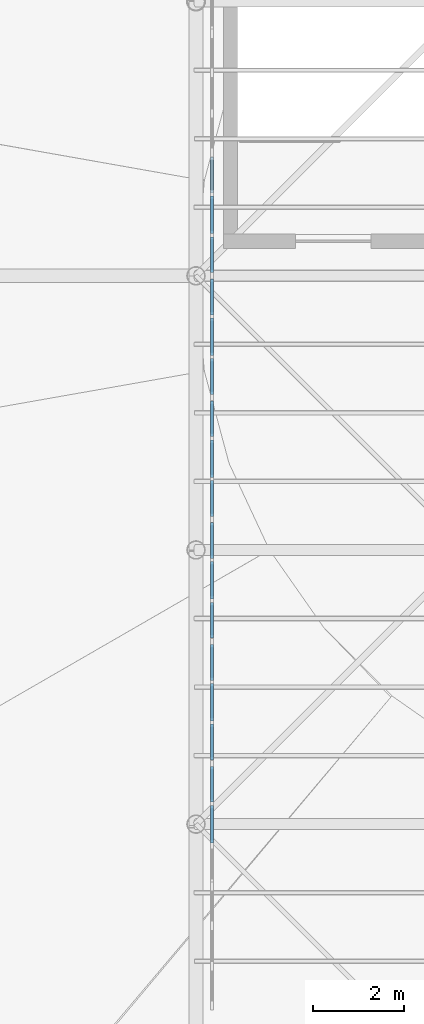
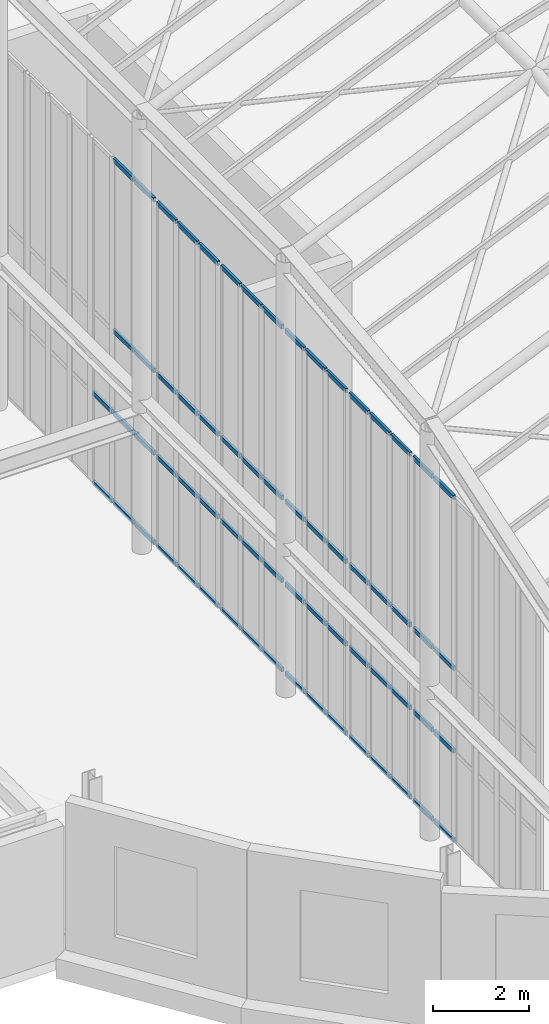
# One storey, part 42 of 75: 66 members, 6 elements without a shape of their own.
"""IFC4 building model written with IfcOpenShell, lengths in metres."""

from ifc_helpers import new_model, si_unit, direction, frame, origin, origin_2d, place, context, subcontext, project, spatial, rectangle, extrude, material, material_profile, profile_set, type_object, element, aggregate, save


model = new_model("IFC4")

# Units and contexts
model_context = context("Model", 3, precision=1e-05, world=origin(), true_north=direction((0.0, 1.0)))
body_context = subcontext(model_context, "Body", "Model", "MODEL_VIEW")
ifc_project = project(units=[si_unit("LENGTHUNIT", "METRE"), si_unit("AREAUNIT", "SQUARE_METRE"), si_unit("VOLUMEUNIT", "CUBIC_METRE"), si_unit("PLANEANGLEUNIT", "RADIAN"), si_unit("MASSUNIT", "GRAM", prefix="KILO")], contexts=[model_context])

# Site, building, storey
site_placement = place(None, origin())
site = spatial("IfcSite", under=ifc_project, at=site_placement, CompositionType="ELEMENT")
building_placement = place(site_placement, origin())
building = spatial("IfcBuilding", under=site, at=building_placement, Name="Kolvaren Corner Interchange", CompositionType="ELEMENT")
storey_placement = place(building_placement, frame((0.0, 0.0, 10.5)))
storey = spatial("IfcBuildingStorey", under=building, at=storey_placement, Name="L03", CompositionType="ELEMENT", Elevation=10.5)

# Curtain wall, members
ifc_material_1 = material(Name="Unitised Aluminium and Solar-Control Glass Curtain Wall", Category="aluminium")
curtain_wall_type = type_object("IfcCurtainWallType", Name="CW-V1-CLER", PredefinedType="NOTDEFINED", material=ifc_material_1)
curtain_wall_1_placement = place(storey_placement, origin())
curtain_wall_1 = element("IfcCurtainWall", 1, at=curtain_wall_1_placement, inside=storey, type_object=curtain_wall_type, Name="Gridshell West End Curtain Wall Bay 02", PredefinedType="NOTDEFINED")
ifc_material_2 = material(Name="Anodised Aluminium Framing", Category="aluminium")
ifc_material_profile = material_profile(ifc_material_2, rectangle(XDim=0.06005859375, YDim=0.110107421875, at=origin_2d()), Name="ALU 60x110")
ifc_profile_set = profile_set([ifc_material_profile], Name="Anodised Aluminium Framing")
member_type = type_object("IfcMemberType", Name="TRN-ALU60x110", PredefinedType="USERDEFINED", material=ifc_profile_set)
member_1_placement = place(storey_placement, frame((48.35009765625, 35.590576171875, 0.030029296875), z_axis=(0.0, 1.0, 0.0), x_axis=(-1.0, 0.0, 0.0)))
member_1 = element("IfcMember", 2, at=member_1_placement, type_object=member_type, Name="CW-083 transom 2.1", ObjectType="TRANSOM", PredefinedType="USERDEFINED", context=body_context, shape_type="SweptSolid", body=[
    extrude(rectangle(XDim=0.06005859375, YDim=0.110107421875, at=origin_2d()), origin(), (0.0, 0.0, 1.0), 0.81884765625),
])
member_2_placement = place(storey_placement, frame((48.35009765625, 35.590576171875, 2.300048828125), z_axis=(0.0, 1.0, 0.0), x_axis=(-1.0, 0.0, 0.0)))
member_2 = element("IfcMember", 3, at=member_2_placement, type_object=member_type, Name="CW-083 transom 2.2", ObjectType="TRANSOM", PredefinedType="USERDEFINED", context=body_context, shape_type="SweptSolid", body=[
    extrude(rectangle(XDim=0.06005859375, YDim=0.110107421875, at=origin_2d()), origin(), (0.0, 0.0, 1.0), 0.81884765625),
])
member_3_placement = place(storey_placement, frame((48.35009765625, 35.590576171875, 4.39990234375), z_axis=(0.0, 1.0, 0.0), x_axis=(-1.0, 0.0, 0.0)))
member_3 = element("IfcMember", 4, at=member_3_placement, type_object=member_type, Name="CW-083 transom 2.3", ObjectType="TRANSOM", PredefinedType="USERDEFINED", context=body_context, shape_type="SweptSolid", body=[
    extrude(rectangle(XDim=0.06005859375, YDim=0.110107421875, at=origin_2d()), origin(), (0.0, 0.0, 1.0), 0.81884765625),
])
member_4_placement = place(storey_placement, frame((48.35009765625, 35.590576171875, 8.741943359375), z_axis=(0.0, 1.0, 0.0), x_axis=(-1.0, 0.0, 0.0)))
member_4 = element("IfcMember", 5, at=member_4_placement, type_object=member_type, Name="CW-083 transom 2.4", ObjectType="TRANSOM", PredefinedType="USERDEFINED", context=body_context, shape_type="SweptSolid", body=[
    extrude(rectangle(XDim=0.06005859375, YDim=0.110107421875, at=origin_2d()), origin(), (0.0, 0.0, 1.0), 0.81884765625),
])
member_5_placement = place(storey_placement, frame((48.35009765625, 36.4794921875, 0.030029296875), z_axis=(0.0, 1.0, 0.0), x_axis=(-1.0, 0.0, 0.0)))
member_5 = element("IfcMember", 6, at=member_5_placement, type_object=member_type, Name="CW-083 transom 3.1", ObjectType="TRANSOM", PredefinedType="USERDEFINED", context=body_context, shape_type="SweptSolid", body=[
    extrude(rectangle(XDim=0.06005859375, YDim=0.110107421875, at=origin_2d()), origin(), (0.0, 0.0, 1.0), 0.78369140625),
])
member_6_placement = place(storey_placement, frame((48.35009765625, 36.4794921875, 2.300048828125), z_axis=(0.0, 1.0, 0.0), x_axis=(-1.0, 0.0, 0.0)))
member_6 = element("IfcMember", 7, at=member_6_placement, type_object=member_type, Name="CW-083 transom 3.2", ObjectType="TRANSOM", PredefinedType="USERDEFINED", context=body_context, shape_type="SweptSolid", body=[
    extrude(rectangle(XDim=0.06005859375, YDim=0.110107421875, at=origin_2d()), origin(), (0.0, 0.0, 1.0), 0.78369140625),
])
member_7_placement = place(storey_placement, frame((48.35009765625, 36.4794921875, 4.39990234375), z_axis=(0.0, 1.0, 0.0), x_axis=(-1.0, 0.0, 0.0)))
member_7 = element("IfcMember", 8, at=member_7_placement, type_object=member_type, Name="CW-083 transom 3.3", ObjectType="TRANSOM", PredefinedType="USERDEFINED", context=body_context, shape_type="SweptSolid", body=[
    extrude(rectangle(XDim=0.06005859375, YDim=0.110107421875, at=origin_2d()), origin(), (0.0, 0.0, 1.0), 0.78369140625),
])
member_8_placement = place(storey_placement, frame((48.35009765625, 36.4794921875, 8.741943359375), z_axis=(0.0, 1.0, 0.0), x_axis=(-1.0, 0.0, 0.0)))
member_8 = element("IfcMember", 9, at=member_8_placement, type_object=member_type, Name="CW-083 transom 3.4", ObjectType="TRANSOM", PredefinedType="USERDEFINED", context=body_context, shape_type="SweptSolid", body=[
    extrude(rectangle(XDim=0.06005859375, YDim=0.110107421875, at=origin_2d()), origin(), (0.0, 0.0, 1.0), 0.78369140625),
])
aggregate(curtain_wall_1, [member_1, member_2, member_3, member_4, member_5, member_6, member_7, member_8])

curtain_wall_2_placement = place(storey_placement, origin())
curtain_wall_2 = element("IfcCurtainWall", 10, at=curtain_wall_2_placement, inside=storey, type_object=curtain_wall_type, Name="Gridshell West End Curtain Wall Bay 03", PredefinedType="NOTDEFINED")
member_9_placement = place(storey_placement, frame((48.35009765625, 37.4033203125, 0.030029296875), z_axis=(0.0, 1.0, 0.0), x_axis=(-1.0, 0.0, 0.0)))
member_9 = element("IfcMember", 11, at=member_9_placement, type_object=member_type, Name="CW-084 transom 1.1", ObjectType="TRANSOM", PredefinedType="USERDEFINED", context=body_context, shape_type="SweptSolid", body=[
    extrude(rectangle(XDim=0.06005859375, YDim=0.110107421875, at=origin_2d()), origin(), (0.0, 0.0, 1.0), 0.783935546875),
])
member_10_placement = place(storey_placement, frame((48.35009765625, 37.4033203125, 2.300048828125), z_axis=(0.0, 1.0, 0.0), x_axis=(-1.0, 0.0, 0.0)))
member_10 = element("IfcMember", 12, at=member_10_placement, type_object=member_type, Name="CW-084 transom 1.2", ObjectType="TRANSOM", PredefinedType="USERDEFINED", context=body_context, shape_type="SweptSolid", body=[
    extrude(rectangle(XDim=0.06005859375, YDim=0.110107421875, at=origin_2d()), origin(), (0.0, 0.0, 1.0), 0.783935546875),
])
member_11_placement = place(storey_placement, frame((48.35009765625, 37.4033203125, 4.39990234375), z_axis=(0.0, 1.0, 0.0), x_axis=(-1.0, 0.0, 0.0)))
member_11 = element("IfcMember", 13, at=member_11_placement, type_object=member_type, Name="CW-084 transom 1.3", ObjectType="TRANSOM", PredefinedType="USERDEFINED", context=body_context, shape_type="SweptSolid", body=[
    extrude(rectangle(XDim=0.06005859375, YDim=0.110107421875, at=origin_2d()), origin(), (0.0, 0.0, 1.0), 0.783935546875),
])
member_12_placement = place(storey_placement, frame((48.35009765625, 37.4033203125, 8.741943359375), z_axis=(0.0, 1.0, 0.0), x_axis=(-1.0, 0.0, 0.0)))
member_12 = element("IfcMember", 14, at=member_12_placement, type_object=member_type, Name="CW-084 transom 1.4", ObjectType="TRANSOM", PredefinedType="USERDEFINED", context=body_context, shape_type="SweptSolid", body=[
    extrude(rectangle(XDim=0.06005859375, YDim=0.110107421875, at=origin_2d()), origin(), (0.0, 0.0, 1.0), 0.783935546875),
])
member_13_placement = place(storey_placement, frame((48.35009765625, 38.257080078125, 0.030029296875), z_axis=(0.0, 1.0, 0.0), x_axis=(-1.0, 0.0, 0.0)))
member_13 = element("IfcMember", 15, at=member_13_placement, type_object=member_type, Name="CW-084 transom 2.1", ObjectType="TRANSOM", PredefinedType="USERDEFINED", context=body_context, shape_type="SweptSolid", body=[
    extrude(rectangle(XDim=0.06005859375, YDim=0.110107421875, at=origin_2d()), origin(), (0.0, 0.0, 1.0), 0.819091796875),
])
member_14_placement = place(storey_placement, frame((48.35009765625, 38.257080078125, 2.300048828125), z_axis=(0.0, 1.0, 0.0), x_axis=(-1.0, 0.0, 0.0)))
member_14 = element("IfcMember", 16, at=member_14_placement, type_object=member_type, Name="CW-084 transom 2.2", ObjectType="TRANSOM", PredefinedType="USERDEFINED", context=body_context, shape_type="SweptSolid", body=[
    extrude(rectangle(XDim=0.06005859375, YDim=0.110107421875, at=origin_2d()), origin(), (0.0, 0.0, 1.0), 0.819091796875),
])
member_15_placement = place(storey_placement, frame((48.35009765625, 38.257080078125, 4.39990234375), z_axis=(0.0, 1.0, 0.0), x_axis=(-1.0, 0.0, 0.0)))
member_15 = element("IfcMember", 17, at=member_15_placement, type_object=member_type, Name="CW-084 transom 2.3", ObjectType="TRANSOM", PredefinedType="USERDEFINED", context=body_context, shape_type="SweptSolid", body=[
    extrude(rectangle(XDim=0.06005859375, YDim=0.110107421875, at=origin_2d()), origin(), (0.0, 0.0, 1.0), 0.819091796875),
])
member_16_placement = place(storey_placement, frame((48.35009765625, 38.257080078125, 8.741943359375), z_axis=(0.0, 1.0, 0.0), x_axis=(-1.0, 0.0, 0.0)))
member_16 = element("IfcMember", 18, at=member_16_placement, type_object=member_type, Name="CW-084 transom 2.4", ObjectType="TRANSOM", PredefinedType="USERDEFINED", context=body_context, shape_type="SweptSolid", body=[
    extrude(rectangle(XDim=0.06005859375, YDim=0.110107421875, at=origin_2d()), origin(), (0.0, 0.0, 1.0), 0.819091796875),
])
member_17_placement = place(storey_placement, frame((48.35009765625, 39.14599609375, 0.030029296875), z_axis=(0.0, 1.0, 0.0), x_axis=(-1.0, 0.0, 0.0)))
member_17 = element("IfcMember", 19, at=member_17_placement, type_object=member_type, Name="CW-084 transom 3.1", ObjectType="TRANSOM", PredefinedType="USERDEFINED", context=body_context, shape_type="SweptSolid", body=[
    extrude(rectangle(XDim=0.06005859375, YDim=0.110107421875, at=origin_2d()), origin(), (0.0, 0.0, 1.0), 0.783935546875),
])
member_18_placement = place(storey_placement, frame((48.35009765625, 39.14599609375, 2.300048828125), z_axis=(0.0, 1.0, 0.0), x_axis=(-1.0, 0.0, 0.0)))
member_18 = element("IfcMember", 20, at=member_18_placement, type_object=member_type, Name="CW-084 transom 3.2", ObjectType="TRANSOM", PredefinedType="USERDEFINED", context=body_context, shape_type="SweptSolid", body=[
    extrude(rectangle(XDim=0.06005859375, YDim=0.110107421875, at=origin_2d()), origin(), (0.0, 0.0, 1.0), 0.783935546875),
])
member_19_placement = place(storey_placement, frame((48.35009765625, 39.14599609375, 4.39990234375), z_axis=(0.0, 1.0, 0.0), x_axis=(-1.0, 0.0, 0.0)))
member_19 = element("IfcMember", 21, at=member_19_placement, type_object=member_type, Name="CW-084 transom 3.3", ObjectType="TRANSOM", PredefinedType="USERDEFINED", context=body_context, shape_type="SweptSolid", body=[
    extrude(rectangle(XDim=0.06005859375, YDim=0.110107421875, at=origin_2d()), origin(), (0.0, 0.0, 1.0), 0.783935546875),
])
member_20_placement = place(storey_placement, frame((48.35009765625, 39.14599609375, 8.741943359375), z_axis=(0.0, 1.0, 0.0), x_axis=(-1.0, 0.0, 0.0)))
member_20 = element("IfcMember", 22, at=member_20_placement, type_object=member_type, Name="CW-084 transom 3.4", ObjectType="TRANSOM", PredefinedType="USERDEFINED", context=body_context, shape_type="SweptSolid", body=[
    extrude(rectangle(XDim=0.06005859375, YDim=0.110107421875, at=origin_2d()), origin(), (0.0, 0.0, 1.0), 0.783935546875),
])
aggregate(curtain_wall_2, [member_9, member_10, member_11, member_12, member_13, member_14, member_15, member_16, member_17, member_18, member_19, member_20])

curtain_wall_3_placement = place(storey_placement, origin())
curtain_wall_3 = element("IfcCurtainWall", 23, at=curtain_wall_3_placement, inside=storey, type_object=curtain_wall_type, Name="Gridshell West End Curtain Wall Bay 04", PredefinedType="NOTDEFINED")
member_21_placement = place(storey_placement, frame((48.35009765625, 40.070068359375, 0.030029296875), z_axis=(0.0, 1.0, 0.0), x_axis=(-1.0, 0.0, 0.0)))
member_21 = element("IfcMember", 24, at=member_21_placement, type_object=member_type, Name="CW-085 transom 1.1", ObjectType="TRANSOM", PredefinedType="USERDEFINED", context=body_context, shape_type="SweptSolid", body=[
    extrude(rectangle(XDim=0.06005859375, YDim=0.110107421875, at=origin_2d()), origin(), (0.0, 0.0, 1.0), 0.783935546875),
])
member_22_placement = place(storey_placement, frame((48.35009765625, 40.070068359375, 2.300048828125), z_axis=(0.0, 1.0, 0.0), x_axis=(-1.0, 0.0, 0.0)))
member_22 = element("IfcMember", 25, at=member_22_placement, type_object=member_type, Name="CW-085 transom 1.2", ObjectType="TRANSOM", PredefinedType="USERDEFINED", context=body_context, shape_type="SweptSolid", body=[
    extrude(rectangle(XDim=0.06005859375, YDim=0.110107421875, at=origin_2d()), origin(), (0.0, 0.0, 1.0), 0.783935546875),
])
member_23_placement = place(storey_placement, frame((48.35009765625, 40.070068359375, 4.39990234375), z_axis=(0.0, 1.0, 0.0), x_axis=(-1.0, 0.0, 0.0)))
member_23 = element("IfcMember", 26, at=member_23_placement, type_object=member_type, Name="CW-085 transom 1.3", ObjectType="TRANSOM", PredefinedType="USERDEFINED", context=body_context, shape_type="SweptSolid", body=[
    extrude(rectangle(XDim=0.06005859375, YDim=0.110107421875, at=origin_2d()), origin(), (0.0, 0.0, 1.0), 0.783935546875),
])
member_24_placement = place(storey_placement, frame((48.35009765625, 40.070068359375, 8.741943359375), z_axis=(0.0, 1.0, 0.0), x_axis=(-1.0, 0.0, 0.0)))
member_24 = element("IfcMember", 27, at=member_24_placement, type_object=member_type, Name="CW-085 transom 1.4", ObjectType="TRANSOM", PredefinedType="USERDEFINED", context=body_context, shape_type="SweptSolid", body=[
    extrude(rectangle(XDim=0.06005859375, YDim=0.110107421875, at=origin_2d()), origin(), (0.0, 0.0, 1.0), 0.783935546875),
])
member_25_placement = place(storey_placement, frame((48.35009765625, 40.923828125, 0.030029296875), z_axis=(0.0, 1.0, 0.0), x_axis=(-1.0, 0.0, 0.0)))
member_25 = element("IfcMember", 28, at=member_25_placement, type_object=member_type, Name="CW-085 transom 2.1", ObjectType="TRANSOM", PredefinedType="USERDEFINED", context=body_context, shape_type="SweptSolid", body=[
    extrude(rectangle(XDim=0.06005859375, YDim=0.110107421875, at=origin_2d()), origin(), (0.0, 0.0, 1.0), 0.819091796875),
])
member_26_placement = place(storey_placement, frame((48.35009765625, 40.923828125, 2.300048828125), z_axis=(0.0, 1.0, 0.0), x_axis=(-1.0, 0.0, 0.0)))
member_26 = element("IfcMember", 29, at=member_26_placement, type_object=member_type, Name="CW-085 transom 2.2", ObjectType="TRANSOM", PredefinedType="USERDEFINED", context=body_context, shape_type="SweptSolid", body=[
    extrude(rectangle(XDim=0.06005859375, YDim=0.110107421875, at=origin_2d()), origin(), (0.0, 0.0, 1.0), 0.819091796875),
])
member_27_placement = place(storey_placement, frame((48.35009765625, 40.923828125, 4.39990234375), z_axis=(0.0, 1.0, 0.0), x_axis=(-1.0, 0.0, 0.0)))
member_27 = element("IfcMember", 30, at=member_27_placement, type_object=member_type, Name="CW-085 transom 2.3", ObjectType="TRANSOM", PredefinedType="USERDEFINED", context=body_context, shape_type="SweptSolid", body=[
    extrude(rectangle(XDim=0.06005859375, YDim=0.110107421875, at=origin_2d()), origin(), (0.0, 0.0, 1.0), 0.819091796875),
])
member_28_placement = place(storey_placement, frame((48.35009765625, 40.923828125, 8.741943359375), z_axis=(0.0, 1.0, 0.0), x_axis=(-1.0, 0.0, 0.0)))
member_28 = element("IfcMember", 31, at=member_28_placement, type_object=member_type, Name="CW-085 transom 2.4", ObjectType="TRANSOM", PredefinedType="USERDEFINED", context=body_context, shape_type="SweptSolid", body=[
    extrude(rectangle(XDim=0.06005859375, YDim=0.110107421875, at=origin_2d()), origin(), (0.0, 0.0, 1.0), 0.819091796875),
])
member_29_placement = place(storey_placement, frame((48.35009765625, 41.812744140625, 0.030029296875), z_axis=(0.0, 1.0, 0.0), x_axis=(-1.0, 0.0, 0.0)))
member_29 = element("IfcMember", 32, at=member_29_placement, type_object=member_type, Name="CW-085 transom 3.1", ObjectType="TRANSOM", PredefinedType="USERDEFINED", context=body_context, shape_type="SweptSolid", body=[
    extrude(rectangle(XDim=0.06005859375, YDim=0.110107421875, at=origin_2d()), origin(), (0.0, 0.0, 1.0), 0.783935546875),
])
member_30_placement = place(storey_placement, frame((48.35009765625, 41.812744140625, 2.300048828125), z_axis=(0.0, 1.0, 0.0), x_axis=(-1.0, 0.0, 0.0)))
member_30 = element("IfcMember", 33, at=member_30_placement, type_object=member_type, Name="CW-085 transom 3.2", ObjectType="TRANSOM", PredefinedType="USERDEFINED", context=body_context, shape_type="SweptSolid", body=[
    extrude(rectangle(XDim=0.06005859375, YDim=0.110107421875, at=origin_2d()), origin(), (0.0, 0.0, 1.0), 0.783935546875),
])
member_31_placement = place(storey_placement, frame((48.35009765625, 41.812744140625, 4.39990234375), z_axis=(0.0, 1.0, 0.0), x_axis=(-1.0, 0.0, 0.0)))
member_31 = element("IfcMember", 34, at=member_31_placement, type_object=member_type, Name="CW-085 transom 3.3", ObjectType="TRANSOM", PredefinedType="USERDEFINED", context=body_context, shape_type="SweptSolid", body=[
    extrude(rectangle(XDim=0.06005859375, YDim=0.110107421875, at=origin_2d()), origin(), (0.0, 0.0, 1.0), 0.783935546875),
])
member_32_placement = place(storey_placement, frame((48.35009765625, 41.812744140625, 8.741943359375), z_axis=(0.0, 1.0, 0.0), x_axis=(-1.0, 0.0, 0.0)))
member_32 = element("IfcMember", 35, at=member_32_placement, type_object=member_type, Name="CW-085 transom 3.4", ObjectType="TRANSOM", PredefinedType="USERDEFINED", context=body_context, shape_type="SweptSolid", body=[
    extrude(rectangle(XDim=0.06005859375, YDim=0.110107421875, at=origin_2d()), origin(), (0.0, 0.0, 1.0), 0.783935546875),
])
aggregate(curtain_wall_3, [member_21, member_22, member_23, member_24, member_25, member_26, member_27, member_28, member_29, member_30, member_31, member_32])

curtain_wall_4_placement = place(storey_placement, origin())
curtain_wall_4 = element("IfcCurtainWall", 36, at=curtain_wall_4_placement, inside=storey, type_object=curtain_wall_type, Name="Gridshell West End Curtain Wall Bay 05", PredefinedType="NOTDEFINED")
member_33_placement = place(storey_placement, frame((48.35009765625, 42.73681640625, 0.030029296875), z_axis=(0.0, 1.0, 0.0), x_axis=(-1.0, 0.0, 0.0)))
member_33 = element("IfcMember", 37, at=member_33_placement, type_object=member_type, Name="CW-086 transom 1.1", ObjectType="TRANSOM", PredefinedType="USERDEFINED", context=body_context, shape_type="SweptSolid", body=[
    extrude(rectangle(XDim=0.06005859375, YDim=0.110107421875, at=origin_2d()), origin(), (0.0, 0.0, 1.0), 0.78369140625),
])
member_34_placement = place(storey_placement, frame((48.35009765625, 42.73681640625, 2.300048828125), z_axis=(0.0, 1.0, 0.0), x_axis=(-1.0, 0.0, 0.0)))
member_34 = element("IfcMember", 38, at=member_34_placement, type_object=member_type, Name="CW-086 transom 1.2", ObjectType="TRANSOM", PredefinedType="USERDEFINED", context=body_context, shape_type="SweptSolid", body=[
    extrude(rectangle(XDim=0.06005859375, YDim=0.110107421875, at=origin_2d()), origin(), (0.0, 0.0, 1.0), 0.78369140625),
])
member_35_placement = place(storey_placement, frame((48.35009765625, 42.73681640625, 4.39990234375), z_axis=(0.0, 1.0, 0.0), x_axis=(-1.0, 0.0, 0.0)))
member_35 = element("IfcMember", 39, at=member_35_placement, type_object=member_type, Name="CW-086 transom 1.3", ObjectType="TRANSOM", PredefinedType="USERDEFINED", context=body_context, shape_type="SweptSolid", body=[
    extrude(rectangle(XDim=0.06005859375, YDim=0.110107421875, at=origin_2d()), origin(), (0.0, 0.0, 1.0), 0.78369140625),
])
member_36_placement = place(storey_placement, frame((48.35009765625, 42.73681640625, 8.741943359375), z_axis=(0.0, 1.0, 0.0), x_axis=(-1.0, 0.0, 0.0)))
member_36 = element("IfcMember", 40, at=member_36_placement, type_object=member_type, Name="CW-086 transom 1.4", ObjectType="TRANSOM", PredefinedType="USERDEFINED", context=body_context, shape_type="SweptSolid", body=[
    extrude(rectangle(XDim=0.06005859375, YDim=0.110107421875, at=origin_2d()), origin(), (0.0, 0.0, 1.0), 0.78369140625),
])
member_37_placement = place(storey_placement, frame((48.35009765625, 43.590576171875, 0.030029296875), z_axis=(0.0, 1.0, 0.0), x_axis=(-1.0, 0.0, 0.0)))
member_37 = element("IfcMember", 41, at=member_37_placement, type_object=member_type, Name="CW-086 transom 2.1", ObjectType="TRANSOM", PredefinedType="USERDEFINED", context=body_context, shape_type="SweptSolid", body=[
    extrude(rectangle(XDim=0.06005859375, YDim=0.110107421875, at=origin_2d()), origin(), (0.0, 0.0, 1.0), 0.81884765625),
])
member_38_placement = place(storey_placement, frame((48.35009765625, 43.590576171875, 2.300048828125), z_axis=(0.0, 1.0, 0.0), x_axis=(-1.0, 0.0, 0.0)))
member_38 = element("IfcMember", 42, at=member_38_placement, type_object=member_type, Name="CW-086 transom 2.2", ObjectType="TRANSOM", PredefinedType="USERDEFINED", context=body_context, shape_type="SweptSolid", body=[
    extrude(rectangle(XDim=0.06005859375, YDim=0.110107421875, at=origin_2d()), origin(), (0.0, 0.0, 1.0), 0.81884765625),
])
member_39_placement = place(storey_placement, frame((48.35009765625, 43.590576171875, 4.39990234375), z_axis=(0.0, 1.0, 0.0), x_axis=(-1.0, 0.0, 0.0)))
member_39 = element("IfcMember", 43, at=member_39_placement, type_object=member_type, Name="CW-086 transom 2.3", ObjectType="TRANSOM", PredefinedType="USERDEFINED", context=body_context, shape_type="SweptSolid", body=[
    extrude(rectangle(XDim=0.06005859375, YDim=0.110107421875, at=origin_2d()), origin(), (0.0, 0.0, 1.0), 0.81884765625),
])
member_40_placement = place(storey_placement, frame((48.35009765625, 43.590576171875, 8.741943359375), z_axis=(0.0, 1.0, 0.0), x_axis=(-1.0, 0.0, 0.0)))
member_40 = element("IfcMember", 44, at=member_40_placement, type_object=member_type, Name="CW-086 transom 2.4", ObjectType="TRANSOM", PredefinedType="USERDEFINED", context=body_context, shape_type="SweptSolid", body=[
    extrude(rectangle(XDim=0.06005859375, YDim=0.110107421875, at=origin_2d()), origin(), (0.0, 0.0, 1.0), 0.81884765625),
])
member_41_placement = place(storey_placement, frame((48.35009765625, 44.4794921875, 0.030029296875), z_axis=(0.0, 1.0, 0.0), x_axis=(-1.0, 0.0, 0.0)))
member_41 = element("IfcMember", 45, at=member_41_placement, type_object=member_type, Name="CW-086 transom 3.1", ObjectType="TRANSOM", PredefinedType="USERDEFINED", context=body_context, shape_type="SweptSolid", body=[
    extrude(rectangle(XDim=0.06005859375, YDim=0.110107421875, at=origin_2d()), origin(), (0.0, 0.0, 1.0), 0.78369140625),
])
member_42_placement = place(storey_placement, frame((48.35009765625, 44.4794921875, 2.300048828125), z_axis=(0.0, 1.0, 0.0), x_axis=(-1.0, 0.0, 0.0)))
member_42 = element("IfcMember", 46, at=member_42_placement, type_object=member_type, Name="CW-086 transom 3.2", ObjectType="TRANSOM", PredefinedType="USERDEFINED", context=body_context, shape_type="SweptSolid", body=[
    extrude(rectangle(XDim=0.06005859375, YDim=0.110107421875, at=origin_2d()), origin(), (0.0, 0.0, 1.0), 0.78369140625),
])
member_43_placement = place(storey_placement, frame((48.35009765625, 44.4794921875, 4.39990234375), z_axis=(0.0, 1.0, 0.0), x_axis=(-1.0, 0.0, 0.0)))
member_43 = element("IfcMember", 47, at=member_43_placement, type_object=member_type, Name="CW-086 transom 3.3", ObjectType="TRANSOM", PredefinedType="USERDEFINED", context=body_context, shape_type="SweptSolid", body=[
    extrude(rectangle(XDim=0.06005859375, YDim=0.110107421875, at=origin_2d()), origin(), (0.0, 0.0, 1.0), 0.78369140625),
])
member_44_placement = place(storey_placement, frame((48.35009765625, 44.4794921875, 8.741943359375), z_axis=(0.0, 1.0, 0.0), x_axis=(-1.0, 0.0, 0.0)))
member_44 = element("IfcMember", 48, at=member_44_placement, type_object=member_type, Name="CW-086 transom 3.4", ObjectType="TRANSOM", PredefinedType="USERDEFINED", context=body_context, shape_type="SweptSolid", body=[
    extrude(rectangle(XDim=0.06005859375, YDim=0.110107421875, at=origin_2d()), origin(), (0.0, 0.0, 1.0), 0.78369140625),
])
aggregate(curtain_wall_4, [member_33, member_34, member_35, member_36, member_37, member_38, member_39, member_40, member_41, member_42, member_43, member_44])

curtain_wall_5_placement = place(storey_placement, origin())
curtain_wall_5 = element("IfcCurtainWall", 49, at=curtain_wall_5_placement, inside=storey, type_object=curtain_wall_type, Name="Gridshell West End Curtain Wall Bay 06", PredefinedType="NOTDEFINED")
member_45_placement = place(storey_placement, frame((48.35009765625, 45.4033203125, 0.030029296875), z_axis=(0.0, 1.0, 0.0), x_axis=(-1.0, 0.0, 0.0)))
member_45 = element("IfcMember", 50, at=member_45_placement, type_object=member_type, Name="CW-087 transom 1.1", ObjectType="TRANSOM", PredefinedType="USERDEFINED", context=body_context, shape_type="SweptSolid", body=[
    extrude(rectangle(XDim=0.06005859375, YDim=0.110107421875, at=origin_2d()), origin(), (0.0, 0.0, 1.0), 0.783935546875),
])
member_46_placement = place(storey_placement, frame((48.35009765625, 45.4033203125, 2.300048828125), z_axis=(0.0, 1.0, 0.0), x_axis=(-1.0, 0.0, 0.0)))
member_46 = element("IfcMember", 51, at=member_46_placement, type_object=member_type, Name="CW-087 transom 1.2", ObjectType="TRANSOM", PredefinedType="USERDEFINED", context=body_context, shape_type="SweptSolid", body=[
    extrude(rectangle(XDim=0.06005859375, YDim=0.110107421875, at=origin_2d()), origin(), (0.0, 0.0, 1.0), 0.783935546875),
])
member_47_placement = place(storey_placement, frame((48.35009765625, 45.4033203125, 4.39990234375), z_axis=(0.0, 1.0, 0.0), x_axis=(-1.0, 0.0, 0.0)))
member_47 = element("IfcMember", 52, at=member_47_placement, type_object=member_type, Name="CW-087 transom 1.3", ObjectType="TRANSOM", PredefinedType="USERDEFINED", context=body_context, shape_type="SweptSolid", body=[
    extrude(rectangle(XDim=0.06005859375, YDim=0.110107421875, at=origin_2d()), origin(), (0.0, 0.0, 1.0), 0.783935546875),
])
member_48_placement = place(storey_placement, frame((48.35009765625, 45.4033203125, 8.741943359375), z_axis=(0.0, 1.0, 0.0), x_axis=(-1.0, 0.0, 0.0)))
member_48 = element("IfcMember", 53, at=member_48_placement, type_object=member_type, Name="CW-087 transom 1.4", ObjectType="TRANSOM", PredefinedType="USERDEFINED", context=body_context, shape_type="SweptSolid", body=[
    extrude(rectangle(XDim=0.06005859375, YDim=0.110107421875, at=origin_2d()), origin(), (0.0, 0.0, 1.0), 0.783935546875),
])
member_49_placement = place(storey_placement, frame((48.35009765625, 46.257080078125, 0.030029296875), z_axis=(0.0, 1.0, 0.0), x_axis=(-1.0, 0.0, 0.0)))
member_49 = element("IfcMember", 54, at=member_49_placement, type_object=member_type, Name="CW-087 transom 2.1", ObjectType="TRANSOM", PredefinedType="USERDEFINED", context=body_context, shape_type="SweptSolid", body=[
    extrude(rectangle(XDim=0.06005859375, YDim=0.110107421875, at=origin_2d()), origin(), (0.0, 0.0, 1.0), 0.819091796875),
])
member_50_placement = place(storey_placement, frame((48.35009765625, 46.257080078125, 2.300048828125), z_axis=(0.0, 1.0, 0.0), x_axis=(-1.0, 0.0, 0.0)))
member_50 = element("IfcMember", 55, at=member_50_placement, type_object=member_type, Name="CW-087 transom 2.2", ObjectType="TRANSOM", PredefinedType="USERDEFINED", context=body_context, shape_type="SweptSolid", body=[
    extrude(rectangle(XDim=0.06005859375, YDim=0.110107421875, at=origin_2d()), origin(), (0.0, 0.0, 1.0), 0.819091796875),
])
member_51_placement = place(storey_placement, frame((48.35009765625, 46.257080078125, 4.39990234375), z_axis=(0.0, 1.0, 0.0), x_axis=(-1.0, 0.0, 0.0)))
member_51 = element("IfcMember", 56, at=member_51_placement, type_object=member_type, Name="CW-087 transom 2.3", ObjectType="TRANSOM", PredefinedType="USERDEFINED", context=body_context, shape_type="SweptSolid", body=[
    extrude(rectangle(XDim=0.06005859375, YDim=0.110107421875, at=origin_2d()), origin(), (0.0, 0.0, 1.0), 0.819091796875),
])
member_52_placement = place(storey_placement, frame((48.35009765625, 46.257080078125, 8.741943359375), z_axis=(0.0, 1.0, 0.0), x_axis=(-1.0, 0.0, 0.0)))
member_52 = element("IfcMember", 57, at=member_52_placement, type_object=member_type, Name="CW-087 transom 2.4", ObjectType="TRANSOM", PredefinedType="USERDEFINED", context=body_context, shape_type="SweptSolid", body=[
    extrude(rectangle(XDim=0.06005859375, YDim=0.110107421875, at=origin_2d()), origin(), (0.0, 0.0, 1.0), 0.819091796875),
])
member_53_placement = place(storey_placement, frame((48.35009765625, 47.14599609375, 0.030029296875), z_axis=(0.0, 1.0, 0.0), x_axis=(-1.0, 0.0, 0.0)))
member_53 = element("IfcMember", 58, at=member_53_placement, type_object=member_type, Name="CW-087 transom 3.1", ObjectType="TRANSOM", PredefinedType="USERDEFINED", context=body_context, shape_type="SweptSolid", body=[
    extrude(rectangle(XDim=0.06005859375, YDim=0.110107421875, at=origin_2d()), origin(), (0.0, 0.0, 1.0), 0.783935546875),
])
member_54_placement = place(storey_placement, frame((48.35009765625, 47.14599609375, 2.300048828125), z_axis=(0.0, 1.0, 0.0), x_axis=(-1.0, 0.0, 0.0)))
member_54 = element("IfcMember", 59, at=member_54_placement, type_object=member_type, Name="CW-087 transom 3.2", ObjectType="TRANSOM", PredefinedType="USERDEFINED", context=body_context, shape_type="SweptSolid", body=[
    extrude(rectangle(XDim=0.06005859375, YDim=0.110107421875, at=origin_2d()), origin(), (0.0, 0.0, 1.0), 0.783935546875),
])
member_55_placement = place(storey_placement, frame((48.35009765625, 47.14599609375, 4.39990234375), z_axis=(0.0, 1.0, 0.0), x_axis=(-1.0, 0.0, 0.0)))
member_55 = element("IfcMember", 60, at=member_55_placement, type_object=member_type, Name="CW-087 transom 3.3", ObjectType="TRANSOM", PredefinedType="USERDEFINED", context=body_context, shape_type="SweptSolid", body=[
    extrude(rectangle(XDim=0.06005859375, YDim=0.110107421875, at=origin_2d()), origin(), (0.0, 0.0, 1.0), 0.783935546875),
])
member_56_placement = place(storey_placement, frame((48.35009765625, 47.14599609375, 8.741943359375), z_axis=(0.0, 1.0, 0.0), x_axis=(-1.0, 0.0, 0.0)))
member_56 = element("IfcMember", 61, at=member_56_placement, type_object=member_type, Name="CW-087 transom 3.4", ObjectType="TRANSOM", PredefinedType="USERDEFINED", context=body_context, shape_type="SweptSolid", body=[
    extrude(rectangle(XDim=0.06005859375, YDim=0.110107421875, at=origin_2d()), origin(), (0.0, 0.0, 1.0), 0.783935546875),
])
aggregate(curtain_wall_5, [member_45, member_46, member_47, member_48, member_49, member_50, member_51, member_52, member_53, member_54, member_55, member_56])

curtain_wall_6_placement = place(storey_placement, origin())
curtain_wall_6 = element("IfcCurtainWall", 62, at=curtain_wall_6_placement, inside=storey, type_object=curtain_wall_type, Name="Gridshell West End Curtain Wall Bay 07", PredefinedType="NOTDEFINED")
member_57_placement = place(storey_placement, frame((48.35009765625, 48.070068359375, 0.030029296875), z_axis=(0.0, 1.0, 0.0), x_axis=(-1.0, 0.0, 0.0)))
member_57 = element("IfcMember", 63, at=member_57_placement, type_object=member_type, Name="CW-088 transom 1.1", ObjectType="TRANSOM", PredefinedType="USERDEFINED", context=body_context, shape_type="SweptSolid", body=[
    extrude(rectangle(XDim=0.06005859375, YDim=0.110107421875, at=origin_2d()), origin(), (0.0, 0.0, 1.0), 0.783935546875),
])
member_58_placement = place(storey_placement, frame((48.35009765625, 48.070068359375, 2.300048828125), z_axis=(0.0, 1.0, 0.0), x_axis=(-1.0, 0.0, 0.0)))
member_58 = element("IfcMember", 64, at=member_58_placement, type_object=member_type, Name="CW-088 transom 1.2", ObjectType="TRANSOM", PredefinedType="USERDEFINED", context=body_context, shape_type="SweptSolid", body=[
    extrude(rectangle(XDim=0.06005859375, YDim=0.110107421875, at=origin_2d()), origin(), (0.0, 0.0, 1.0), 0.783935546875),
])
member_59_placement = place(storey_placement, frame((48.35009765625, 48.070068359375, 4.39990234375), z_axis=(0.0, 1.0, 0.0), x_axis=(-1.0, 0.0, 0.0)))
member_59 = element("IfcMember", 65, at=member_59_placement, type_object=member_type, Name="CW-088 transom 1.3", ObjectType="TRANSOM", PredefinedType="USERDEFINED", context=body_context, shape_type="SweptSolid", body=[
    extrude(rectangle(XDim=0.06005859375, YDim=0.110107421875, at=origin_2d()), origin(), (0.0, 0.0, 1.0), 0.783935546875),
])
member_60_placement = place(storey_placement, frame((48.35009765625, 48.070068359375, 8.741943359375), z_axis=(0.0, 1.0, 0.0), x_axis=(-1.0, 0.0, 0.0)))
member_60 = element("IfcMember", 66, at=member_60_placement, type_object=member_type, Name="CW-088 transom 1.4", ObjectType="TRANSOM", PredefinedType="USERDEFINED", context=body_context, shape_type="SweptSolid", body=[
    extrude(rectangle(XDim=0.06005859375, YDim=0.110107421875, at=origin_2d()), origin(), (0.0, 0.0, 1.0), 0.783935546875),
])
member_61_placement = place(storey_placement, frame((48.35009765625, 48.923828125, 0.030029296875), z_axis=(0.0, 1.0, 0.0), x_axis=(-1.0, 0.0, 0.0)))
member_61 = element("IfcMember", 67, at=member_61_placement, type_object=member_type, Name="CW-088 transom 2.1", ObjectType="TRANSOM", PredefinedType="USERDEFINED", context=body_context, shape_type="SweptSolid", body=[
    extrude(rectangle(XDim=0.06005859375, YDim=0.110107421875, at=origin_2d()), origin(), (0.0, 0.0, 1.0), 0.819091796875),
])
member_62_placement = place(storey_placement, frame((48.35009765625, 48.923828125, 2.300048828125), z_axis=(0.0, 1.0, 0.0), x_axis=(-1.0, 0.0, 0.0)))
member_62 = element("IfcMember", 68, at=member_62_placement, type_object=member_type, Name="CW-088 transom 2.2", ObjectType="TRANSOM", PredefinedType="USERDEFINED", context=body_context, shape_type="SweptSolid", body=[
    extrude(rectangle(XDim=0.06005859375, YDim=0.110107421875, at=origin_2d()), origin(), (0.0, 0.0, 1.0), 0.819091796875),
])
member_63_placement = place(storey_placement, frame((48.35009765625, 48.923828125, 4.39990234375), z_axis=(0.0, 1.0, 0.0), x_axis=(-1.0, 0.0, 0.0)))
member_63 = element("IfcMember", 69, at=member_63_placement, type_object=member_type, Name="CW-088 transom 2.3", ObjectType="TRANSOM", PredefinedType="USERDEFINED", context=body_context, shape_type="SweptSolid", body=[
    extrude(rectangle(XDim=0.06005859375, YDim=0.110107421875, at=origin_2d()), origin(), (0.0, 0.0, 1.0), 0.819091796875),
])
member_64_placement = place(storey_placement, frame((48.35009765625, 48.923828125, 8.741943359375), z_axis=(0.0, 1.0, 0.0), x_axis=(-1.0, 0.0, 0.0)))
member_64 = element("IfcMember", 70, at=member_64_placement, type_object=member_type, Name="CW-088 transom 2.4", ObjectType="TRANSOM", PredefinedType="USERDEFINED", context=body_context, shape_type="SweptSolid", body=[
    extrude(rectangle(XDim=0.06005859375, YDim=0.110107421875, at=origin_2d()), origin(), (0.0, 0.0, 1.0), 0.819091796875),
])
member_65_placement = place(storey_placement, frame((48.35009765625, 49.812744140625, 0.030029296875), z_axis=(0.0, 1.0, 0.0), x_axis=(-1.0, 0.0, 0.0)))
member_65 = element("IfcMember", 71, at=member_65_placement, type_object=member_type, Name="CW-088 transom 3.1", ObjectType="TRANSOM", PredefinedType="USERDEFINED", context=body_context, shape_type="SweptSolid", body=[
    extrude(rectangle(XDim=0.06005859375, YDim=0.110107421875, at=origin_2d()), origin(), (0.0, 0.0, 1.0), 0.783935546875),
])
member_66_placement = place(storey_placement, frame((48.35009765625, 49.812744140625, 2.300048828125), z_axis=(0.0, 1.0, 0.0), x_axis=(-1.0, 0.0, 0.0)))
member_66 = element("IfcMember", 72, at=member_66_placement, type_object=member_type, Name="CW-088 transom 3.2", ObjectType="TRANSOM", PredefinedType="USERDEFINED", context=body_context, shape_type="SweptSolid", body=[
    extrude(rectangle(XDim=0.06005859375, YDim=0.110107421875, at=origin_2d()), origin(), (0.0, 0.0, 1.0), 0.783935546875),
])
aggregate(curtain_wall_6, [member_57, member_58, member_59, member_60, member_61, member_62, member_63, member_64, member_65, member_66])

save(model, "model.ifc")
